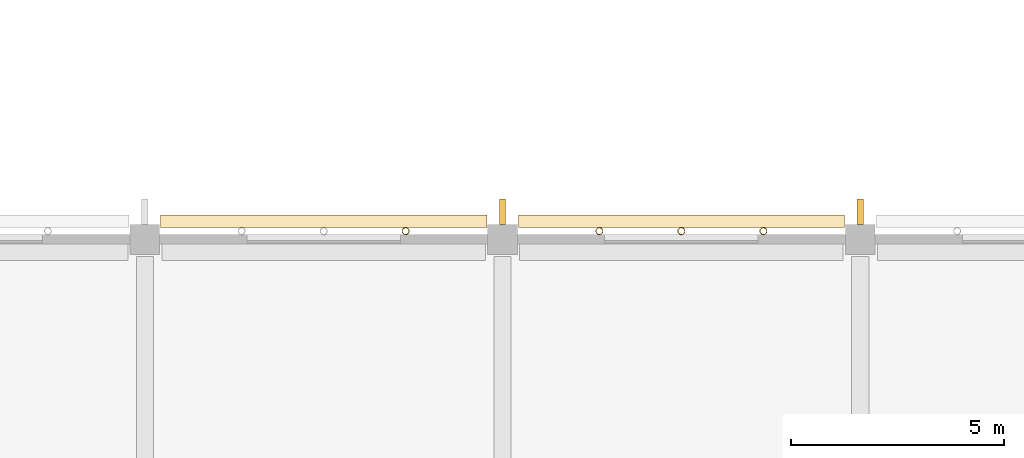
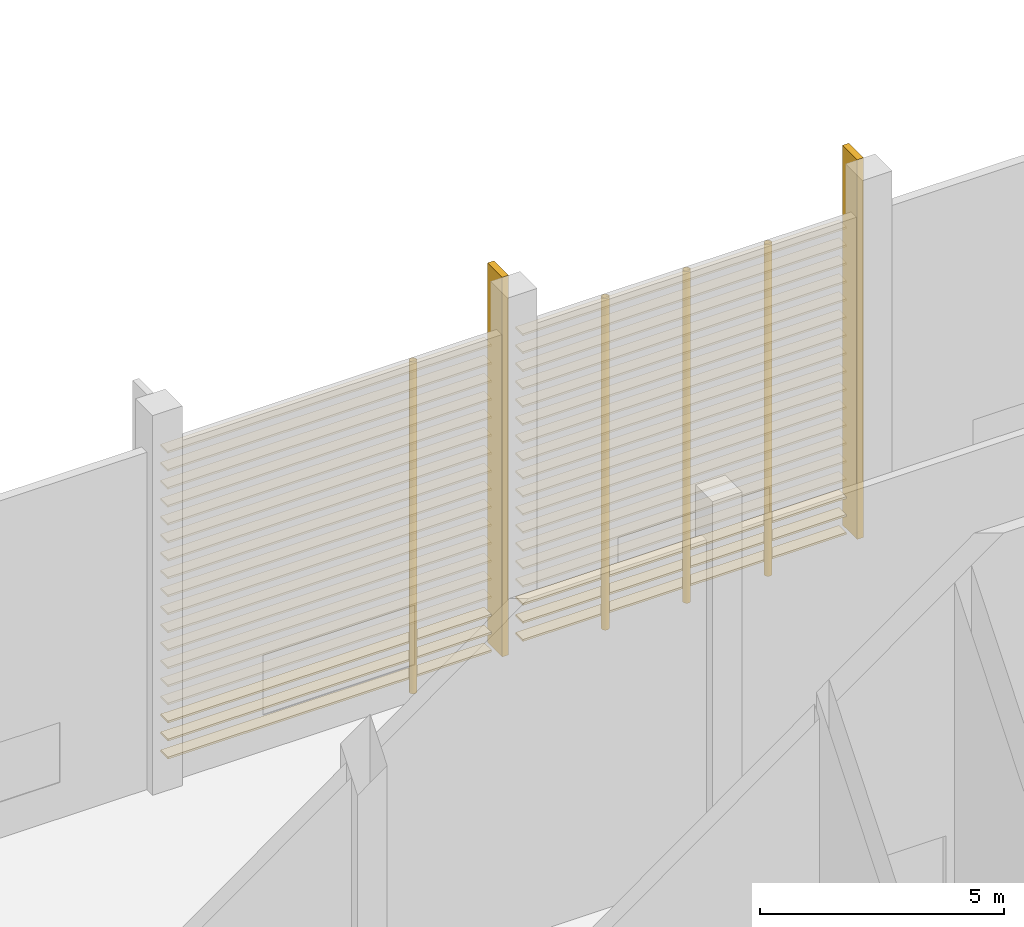
# One storey, part 86 of 114: 36 coverings, 6 shading devices.
"""IFC4 building model written with IfcOpenShell, lengths in metres."""

import ifcopenshell
import ifcopenshell.guid

model = None  # the IFC model being written
_history = None  # IfcOwnerHistory: only IFC2X3 demands one
_inside = {}  # id of a spatial element -> (the spatial element, [elements in it])
_under = {}  # id of a project, library or spatial element -> (it, [spatial elements below it])
_declared = {}  # id of a project -> (the project, [libraries it declares])
_typed = {}  # id of a type object -> (the type object, [elements of that type])
_made_of = {}  # id of a material, layer set ... -> (it, [elements and type objects made of it])


def new_model(schema):
    """Start an empty IFC model of exactly this schema.

    Asked for "IFC4X3", IfcOpenShell would pick the latest addendum, in which some entities
    have other attributes; the version numbers below select the first issue.
    IFC2X3 requires an IfcOwnerHistory on every rooted entity: one is made here for all.
    """
    global model, _history
    if schema == "IFC4X3":
        model = ifcopenshell.file(schema_version=(4, 3, 0, 0))
    else:
        model = ifcopenshell.file(schema=schema)
    _inside.clear()
    _under.clear()
    _declared.clear()
    _typed.clear()
    _made_of.clear()
    _history = None
    if model.schema == "IFC2X3":
        org = make("IfcOrganization", Name="unknown")
        user = make(
            "IfcPersonAndOrganization",
            ThePerson=make("IfcPerson", FamilyName="unknown"),
            TheOrganization=org,
        )
        app = make(
            "IfcApplication",
            ApplicationDeveloper=org,
            Version="unknown",
            ApplicationFullName="unknown",
            ApplicationIdentifier="unknown",
        )
        _history = make(
            "IfcOwnerHistory",
            OwningUser=user,
            OwningApplication=app,
            ChangeAction="ADDED",
            CreationDate=0,
        )
    return model


def make(cls, **values):
    """One entity of the class cls with the attributes given. An attribute that is None is left unset."""
    return model.create_entity(
        cls, **{name: value for name, value in values.items() if value is not None}
    )


def rooted(cls, **values):
    """An entity with a GlobalId (a new one), such as an element, a storey or a relation."""
    return make(cls, GlobalId=ifcopenshell.guid.new(), OwnerHistory=_history, **values)


def si_unit(unit_type, name, prefix=None):
    """IfcSIUnit, for example si_unit("LENGTHUNIT", "METRE", prefix="MILLI")."""
    return make("IfcSIUnit", UnitType=unit_type, Prefix=prefix, Name=name)


def assignment(units):
    """IfcUnitAssignment: the units of a project."""
    return None if units is None else make("IfcUnitAssignment", Units=units)


def point(xyz):
    """IfcCartesianPoint."""
    return None if xyz is None else make("IfcCartesianPoint", Coordinates=xyz)


def direction(xyz):
    """IfcDirection."""
    return None if xyz is None else make("IfcDirection", DirectionRatios=xyz)


def frame(location, z_axis=None, x_axis=None):
    """IfcAxis2Placement3D, a coordinate frame: its origin and axes. An axis left out is left unset."""
    return make(
        "IfcAxis2Placement3D",
        Location=point(location),
        Axis=direction(z_axis),
        RefDirection=direction(x_axis),
    )


def frame_2d(location, x_axis=None):
    """IfcAxis2Placement2D, a coordinate frame in the plane: its origin and x axis."""
    return make(
        "IfcAxis2Placement2D", Location=point(location), RefDirection=direction(x_axis)
    )


def origin():
    """The frame at (0, 0, 0) with its axes left unset."""
    return frame((0.0, 0.0, 0.0))


def origin_2d():
    """The frame at (0, 0) in the plane with its x axis left unset."""
    return frame_2d((0.0, 0.0))


def place(relative_to, where):
    """IfcLocalPlacement: puts the frame where relative to a parent placement (None: the world)."""
    return make(
        "IfcLocalPlacement", PlacementRelTo=relative_to, RelativePlacement=where
    )


def context(
    kind, dimensions, precision=None, world=None, true_north=None, identifier=None
):
    """IfcGeometricRepresentationContext, for example the 3D "Model" context."""
    return make(
        "IfcGeometricRepresentationContext",
        ContextIdentifier=identifier,
        ContextType=kind,
        CoordinateSpaceDimension=dimensions,
        Precision=precision,
        WorldCoordinateSystem=world,
        TrueNorth=true_north,
    )


def subcontext(parent, identifier, kind, view, scale=None):
    """IfcGeometricRepresentationSubContext, for example "Body" below "Model"."""
    return make(
        "IfcGeometricRepresentationSubContext",
        ContextIdentifier=identifier,
        ContextType=kind,
        ParentContext=parent,
        TargetScale=scale,
        TargetView=view,
    )


def project(units=None, contexts=None):
    """IfcProject with its units and contexts."""
    return rooted(
        "IfcProject",
        Name="project",
        RepresentationContexts=contexts,
        UnitsInContext=assignment(units),
    )


def spatial(cls, under=None, at=None, **own):
    """A site, building, storey or space (cls), placed at a placement, below another one or the project."""
    s = rooted(cls, ObjectPlacement=at, **own)
    if under is not None:
        _under.setdefault(under.id(), (under, []))[1].append(s)
    return s


def profile(cls, at=None, kind="AREA", **sizes):
    """A parametric profile (cls). Its sizes go by their IFC names, for example OverallWidth=200.0."""
    return make(cls, ProfileType=kind, Position=at, **sizes)


def rectangle(**sizes):
    """IfcRectangleProfileDef."""
    return profile("IfcRectangleProfileDef", **sizes)


def hollow_circle(**sizes):
    """IfcCircleHollowProfileDef."""
    return profile("IfcCircleHollowProfileDef", **sizes)


def extrude(swept, where, along, depth):
    """IfcExtrudedAreaSolid: the profile swept, set in the frame where, extruded along a direction by depth."""
    return make(
        "IfcExtrudedAreaSolid",
        SweptArea=swept,
        Position=where,
        ExtrudedDirection=direction(along),
        Depth=depth,
    )


def shape(context_of_items, identifier, shape_type, items):
    """IfcShapeRepresentation: the items that make up one representation, for example the "Body"."""
    return make(
        "IfcShapeRepresentation",
        ContextOfItems=context_of_items,
        RepresentationIdentifier=identifier,
        RepresentationType=shape_type,
        Items=items,
    )


def material(Name=None, Category=None):
    """IfcMaterial."""
    return make("IfcMaterial", Name=Name, Category=Category)


def material_profile(
    of_material, cross_section, Name=None, Category=None, Priority=None
):
    """IfcMaterialProfile: a cross section and its material."""
    return make(
        "IfcMaterialProfile",
        Name=Name,
        Material=of_material,
        Profile=cross_section,
        Priority=Priority,
        Category=Category,
    )


def profile_set(profiles, Name=None, composite=None):
    """IfcMaterialProfileSet."""
    return make(
        "IfcMaterialProfileSet",
        Name=Name,
        MaterialProfiles=profiles,
        CompositeProfile=composite,
    )


def made_of(thing, what):
    """Note that an element or type object is made of a material, layer set ...; save() writes the relation."""
    if what is not None:
        _made_of.setdefault(what.id(), (what, []))[1].append(thing)
    return thing


def type_object(cls, material=None, **own):
    """A type object (cls), such as IfcWallType, which elements share."""
    return made_of(rooted(cls, **own), material)


def element(
    cls,
    number,
    at=None,
    inside=None,
    cuts=None,
    type_object=None,
    material=None,
    context=None,
    identifier="Body",
    shape_type=None,
    held_by="IfcProductDefinitionShape",
    body=None,
    shapes=None,
    **own,
):
    """One element of the class cls, such as IfcWall. Its Tag is "e" and its number.

    at: its placement. inside: the storey or other place that contains it. cuts: it is an
    opening in that element (IfcRelVoidsElement). A single representation is given by context,
    identifier, shape_type and body (its items); several are given by shapes. held_by: the class
    of the entity that holds the representations. save() writes the other relations.
    """
    e = rooted(cls, Tag="e%d" % number, ObjectPlacement=at, **own)
    if body is not None:
        shapes = [shape(context, identifier, shape_type, body)]
    if shapes is not None:
        e.Representation = make(held_by, Representations=shapes)
    if inside is not None:
        _inside.setdefault(inside.id(), (inside, []))[1].append(e)
    if cuts is not None:
        rooted(
            "IfcRelVoidsElement", RelatingBuildingElement=cuts, RelatedOpeningElement=e
        )
    if type_object is not None:
        _typed.setdefault(type_object.id(), (type_object, []))[1].append(e)
    return made_of(e, material)


def aggregate(whole, parts):
    """IfcRelAggregates: a whole, such as a stair, and the parts it consists of."""
    return rooted("IfcRelAggregates", RelatingObject=whole, RelatedObjects=parts)


def save(model, path):
    """Write the relations noted so far, then the file.

    IfcRelAggregates (storeys below a building ...), IfcRelContainedInSpatialStructure (elements
    in a storey), IfcRelDefinesByType, IfcRelAssociatesMaterial and IfcRelDeclares: one each for
    every whole, place, type object, material and project.
    """
    for whole, parts in _under.values():
        aggregate(whole, parts)
    for where, things in _inside.values():
        rooted(
            "IfcRelContainedInSpatialStructure",
            RelatedElements=things,
            RelatingStructure=where,
        )
    for kind, things in _typed.values():
        rooted("IfcRelDefinesByType", RelatedObjects=things, RelatingType=kind)
    for what, things in _made_of.values():
        rooted("IfcRelAssociatesMaterial", RelatedObjects=things, RelatingMaterial=what)
    for by, libraries in _declared.values():
        rooted("IfcRelDeclares", RelatingContext=by, RelatedDefinitions=libraries)
    model.write(path)


model = new_model("IFC4")

# Units and contexts
model_context = context("Model", 3, precision=1e-05, world=origin(), true_north=direction((0.0, 1.0)))
body_context = subcontext(model_context, "Body", "Model", "MODEL_VIEW")
ifc_project = project(units=[si_unit("LENGTHUNIT", "METRE"), si_unit("AREAUNIT", "SQUARE_METRE"), si_unit("VOLUMEUNIT", "CUBIC_METRE"), si_unit("PLANEANGLEUNIT", "RADIAN"), si_unit("MASSUNIT", "GRAM", prefix="KILO")], contexts=[model_context])

# Site, building, storey
site_placement = place(None, origin())
site = spatial("IfcSite", under=ifc_project, at=site_placement, CompositionType="ELEMENT")
building_placement = place(site_placement, origin())
building = spatial("IfcBuilding", under=site, at=building_placement, Name="Almond Square Museum", CompositionType="ELEMENT")
storey_placement = place(building_placement, frame((0.0, 0.0, 10.5)))
storey = spatial("IfcBuildingStorey", under=building, at=storey_placement, Name="L02", CompositionType="ELEMENT", Elevation=10.5)

# Shading devices
ifc_material_1 = material(Name="Structural steel S355", Category="steel")
ifc_material_profile_1 = material_profile(ifc_material_1, hollow_circle(Radius=0.084228515625, WallThickness=0.008056640625, at=origin_2d()))
ifc_profile_set_1 = profile_set([ifc_material_profile_1], Name="Structural steel S355")
shading_device_type_1 = type_object("IfcShadingDeviceType", Name="Louvre post CHS 168.3 x 8", PredefinedType="USERDEFINED", material=ifc_profile_set_1)
for number, where, z_axis, x_axis, name in (
    (1, (92.27490234375, 16.994140625, 0.0), (0.0, 0.0, 1.0), (1.0, 0.0, 0.0), "Louvre screen post"),
    (2, (94.199951171875, 16.994140625, 0.0), (0.0, 0.0, 1.0), (1.0, 0.0, 0.0), "Louvre screen post"),
    (3, (96.125, 16.994140625, 0.0), (0.0, 0.0, 1.0), (1.0, 0.0, 0.0), "Louvre screen post"),
    (4, (87.72509765625, 16.994140625, 0.0), (0.0, 0.0, 1.0), (1.0, 0.0, 0.0), "Louvre screen post"),
):
    element("IfcShadingDevice", number, at=place(storey_placement, frame(where, z_axis=z_axis, x_axis=x_axis)), inside=storey, type_object=shading_device_type_1, Name=name, ObjectType="POST", PredefinedType="USERDEFINED", context=body_context, shape_type="SweptSolid", body=[
        extrude(hollow_circle(Radius=0.084228515625, WallThickness=0.008056640625, at=origin_2d()), origin(), (0.0, 0.0, 1.0), 8.300048828125),
    ])

# Coverings
ifc_material_2 = material(Name="Cedar timber louvre board", Category="wood")
ifc_material_profile_2 = material_profile(ifc_material_2, rectangle(XDim=0.300048828125, YDim=0.050048828125, at=origin_2d()))
ifc_profile_set_2 = profile_set([ifc_material_profile_2], Name="Cedar timber louvre board")
covering_type = type_object("IfcCoveringType", Name="Louvre screen board 300 x 50", PredefinedType="CLADDING", material=ifc_profile_set_2)
for number, where, z_axis, x_axis, name in (
    (5, (90.3701171875, 17.224365234375, 0.300048828125), (1.0, 0.0, 0.0), (0.0, 1.0, 0.0), "Louvre screen board"),
    (6, (90.3701171875, 17.224365234375, 0.75), (1.0, 0.0, 0.0), (0.0, 1.0, 0.0), "Louvre screen board"),
    (7, (90.3701171875, 17.224365234375, 1.199951171875), (1.0, 0.0, 0.0), (0.0, 1.0, 0.0), "Louvre screen board"),
    (8, (90.3701171875, 17.224365234375, 1.64990234375), (1.0, 0.0, 0.0), (0.0, 1.0, 0.0), "Louvre screen board"),
    (9, (90.3701171875, 17.224365234375, 2.10009765625), (1.0, 0.0, 0.0), (0.0, 1.0, 0.0), "Louvre screen board"),
    (10, (90.3701171875, 17.224365234375, 2.550048828125), (1.0, 0.0, 0.0), (0.0, 1.0, 0.0), "Louvre screen board"),
    (11, (90.3701171875, 17.224365234375, 3.0), (1.0, 0.0, 0.0), (0.0, 1.0, 0.0), "Louvre screen board"),
    (12, (90.3701171875, 17.224365234375, 3.449951171875), (1.0, 0.0, 0.0), (0.0, 1.0, 0.0), "Louvre screen board"),
    (13, (90.3701171875, 17.224365234375, 3.89990234375), (1.0, 0.0, 0.0), (0.0, 1.0, 0.0), "Louvre screen board"),
    (14, (90.3701171875, 17.224365234375, 4.35009765625), (1.0, 0.0, 0.0), (0.0, 1.0, 0.0), "Louvre screen board"),
    (15, (90.3701171875, 17.224365234375, 4.800048828125), (1.0, 0.0, 0.0), (0.0, 1.0, 0.0), "Louvre screen board"),
    (16, (90.3701171875, 17.224365234375, 5.25), (1.0, 0.0, 0.0), (0.0, 1.0, 0.0), "Louvre screen board"),
    (17, (90.3701171875, 17.224365234375, 5.699951171875), (1.0, 0.0, 0.0), (0.0, 1.0, 0.0), "Louvre screen board"),
    (18, (90.3701171875, 17.224365234375, 6.14990234375), (1.0, 0.0, 0.0), (0.0, 1.0, 0.0), "Louvre screen board"),
    (19, (90.3701171875, 17.224365234375, 6.60009765625), (1.0, 0.0, 0.0), (0.0, 1.0, 0.0), "Louvre screen board"),
    (20, (90.3701171875, 17.224365234375, 7.050048828125), (1.0, 0.0, 0.0), (0.0, 1.0, 0.0), "Louvre screen board"),
    (21, (90.3701171875, 17.224365234375, 7.5), (1.0, 0.0, 0.0), (0.0, 1.0, 0.0), "Louvre screen board"),
    (22, (90.3701171875, 17.224365234375, 7.949951171875), (1.0, 0.0, 0.0), (0.0, 1.0, 0.0), "Louvre screen board"),
    (23, (81.969970703125, 17.224365234375, 0.300048828125), (1.0, 0.0, 0.0), (0.0, 1.0, 0.0), "Louvre screen board"),
    (24, (81.969970703125, 17.224365234375, 0.75), (1.0, 0.0, 0.0), (0.0, 1.0, 0.0), "Louvre screen board"),
    (25, (81.969970703125, 17.224365234375, 1.199951171875), (1.0, 0.0, 0.0), (0.0, 1.0, 0.0), "Louvre screen board"),
    (26, (81.969970703125, 17.224365234375, 1.64990234375), (1.0, 0.0, 0.0), (0.0, 1.0, 0.0), "Louvre screen board"),
    (27, (81.969970703125, 17.224365234375, 2.10009765625), (1.0, 0.0, 0.0), (0.0, 1.0, 0.0), "Louvre screen board"),
    (28, (81.969970703125, 17.224365234375, 2.550048828125), (1.0, 0.0, 0.0), (0.0, 1.0, 0.0), "Louvre screen board"),
    (29, (81.969970703125, 17.224365234375, 3.0), (1.0, 0.0, 0.0), (0.0, 1.0, 0.0), "Louvre screen board"),
    (30, (81.969970703125, 17.224365234375, 3.449951171875), (1.0, 0.0, 0.0), (0.0, 1.0, 0.0), "Louvre screen board"),
    (31, (81.969970703125, 17.224365234375, 3.89990234375), (1.0, 0.0, 0.0), (0.0, 1.0, 0.0), "Louvre screen board"),
    (32, (81.969970703125, 17.224365234375, 4.35009765625), (1.0, 0.0, 0.0), (0.0, 1.0, 0.0), "Louvre screen board"),
    (33, (81.969970703125, 17.224365234375, 4.800048828125), (1.0, 0.0, 0.0), (0.0, 1.0, 0.0), "Louvre screen board"),
    (34, (81.969970703125, 17.224365234375, 5.25), (1.0, 0.0, 0.0), (0.0, 1.0, 0.0), "Louvre screen board"),
    (35, (81.969970703125, 17.224365234375, 5.699951171875), (1.0, 0.0, 0.0), (0.0, 1.0, 0.0), "Louvre screen board"),
    (36, (81.969970703125, 17.224365234375, 6.14990234375), (1.0, 0.0, 0.0), (0.0, 1.0, 0.0), "Louvre screen board"),
    (37, (81.969970703125, 17.224365234375, 6.60009765625), (1.0, 0.0, 0.0), (0.0, 1.0, 0.0), "Louvre screen board"),
    (38, (81.969970703125, 17.224365234375, 7.050048828125), (1.0, 0.0, 0.0), (0.0, 1.0, 0.0), "Louvre screen board"),
    (39, (81.969970703125, 17.224365234375, 7.5), (1.0, 0.0, 0.0), (0.0, 1.0, 0.0), "Louvre screen board"),
    (40, (81.969970703125, 17.224365234375, 7.949951171875), (1.0, 0.0, 0.0), (0.0, 1.0, 0.0), "Louvre screen board"),
):
    element("IfcCovering", number, at=place(storey_placement, frame(where, z_axis=z_axis, x_axis=x_axis)), inside=storey, type_object=covering_type, Name=name, PredefinedType="CLADDING", context=body_context, shape_type="SweptSolid", body=[
        extrude(rectangle(XDim=0.300048828125, YDim=0.050048828125, at=origin_2d()), origin(), (0.0, 0.0, 1.0), 7.659912109375),
    ])

# Shading devices
ifc_material_3 = material(Name="Cedar timber fin", Category="wood")
shading_device_type_2 = type_object("IfcShadingDeviceType", Name="Timber storm fin 150 x 600", PredefinedType="USERDEFINED", material=ifc_material_3)
for number, where, z_axis, x_axis, name in (
    (41, (90.0, 17.449951171875, 0.0), (0.0, 0.0, 1.0), (1.0, 0.0, 0.0), "Timber storm fin"),
    (42, (98.39990234375, 17.449951171875, 0.0), (0.0, 0.0, 1.0), (1.0, 0.0, 0.0), "Timber storm fin"),
):
    element("IfcShadingDevice", number, at=place(storey_placement, frame(where, z_axis=z_axis, x_axis=x_axis)), inside=storey, type_object=shading_device_type_2, Name=name, ObjectType="FIN", PredefinedType="USERDEFINED", context=body_context, shape_type="SweptSolid", body=[
        extrude(rectangle(XDim=0.14990234375, YDim=0.60009765625, at=origin_2d()), origin(), (0.0, 0.0, 1.0), 9.5),
    ])

save(model, "model.ifc")
